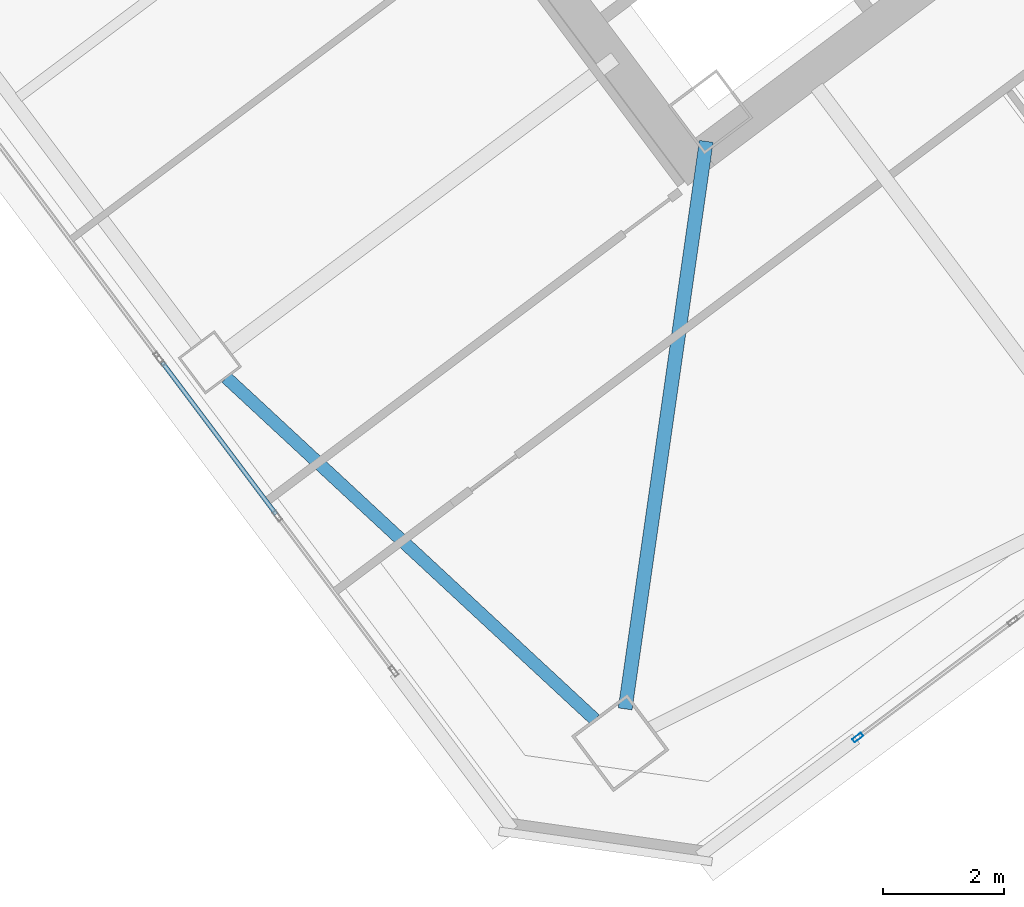
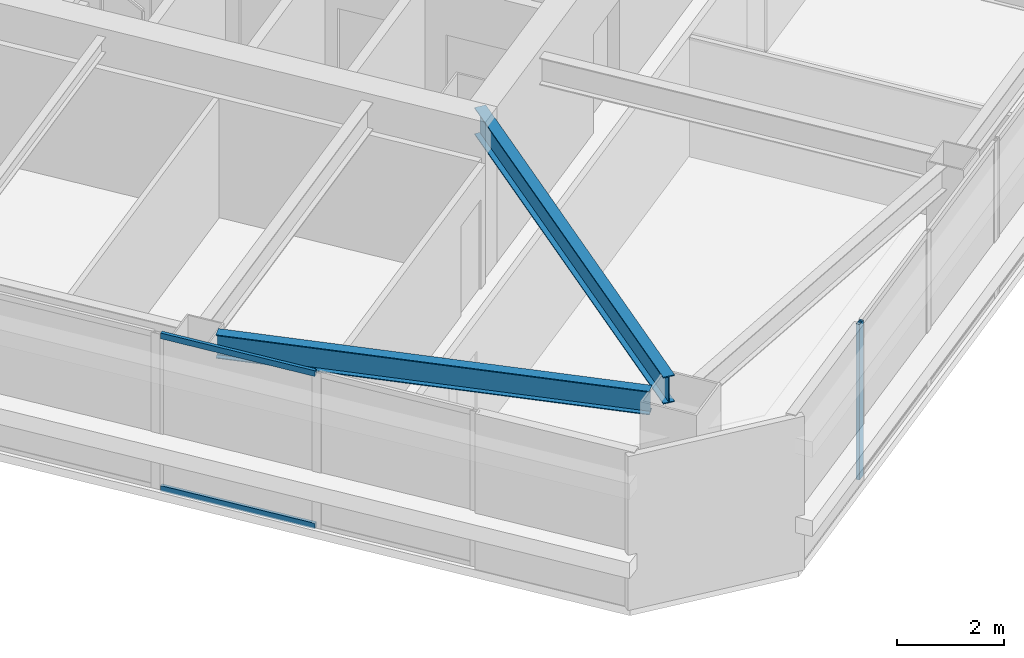
# One storey, part 18 of 43: 3 members, 2 beams, 2 elements without a shape of their own.
"""IFC4 building model written with IfcOpenShell, lengths in metres."""

from ifc_helpers import new_model, si_unit, direction, frame, origin, origin_2d, place, context, subcontext, project, spatial, hollow_rectangle, i_section, extrude, material, material_profile, profile_set, type_object, element, aggregate, save


model = new_model("IFC4")

# Units and contexts
model_context = context("Model", 3, precision=1e-05, world=origin(), true_north=direction((0.0, 1.0)))
body_context = subcontext(model_context, "Body", "Model", "MODEL_VIEW")
ifc_project = project(units=[si_unit("LENGTHUNIT", "METRE"), si_unit("AREAUNIT", "SQUARE_METRE"), si_unit("VOLUMEUNIT", "CUBIC_METRE"), si_unit("PLANEANGLEUNIT", "RADIAN"), si_unit("MASSUNIT", "GRAM", prefix="KILO")], contexts=[model_context])

# Site, building, storey
site_placement = place(None, origin())
site = spatial("IfcSite", under=ifc_project, at=site_placement, CompositionType="ELEMENT")
building_placement = place(site_placement, origin())
building = spatial("IfcBuilding", under=site, at=building_placement, Name="Tashvorn Skyway Center", CompositionType="ELEMENT")
storey_placement = place(building_placement, frame((0.0, 0.0, 160.550048828125)))
storey = spatial("IfcBuildingStorey", under=building, at=storey_placement, Name="L43", CompositionType="ELEMENT", Elevation=160.550048828125)

# Beams
ifc_material_1 = material(Name="Steel ASTM A992 Grade 50", Category="steel")
ifc_material_profile_1 = material_profile(ifc_material_1, i_section(OverallWidth=0.22998046875, OverallDepth=0.616943359375, WebThickness=0.01318359375, FlangeThickness=0.022216796875, at=origin_2d()), Name="W24X94")
ifc_profile_set_1 = profile_set([ifc_material_profile_1], Name="Steel ASTM A992 Grade 50")
beam_type_1 = type_object("IfcBeamType", Name="BM-BEAM-W24X94", PredefinedType="BEAM", material=ifc_profile_set_1)
beam_1_placement = place(storey_placement, frame((111.1806640625, 12.26416015625, 3.0615234375), z_axis=(0.141417747326, 0.989950009213, 0.0), x_axis=(-0.989950009213, 0.141417747326, 0.0)))
element("IfcBeam", 1, at=beam_1_placement, inside=storey, type_object=beam_type_1, Name="Tower 2 L43 Primary Floor Girder MC-SW", PredefinedType="BEAM", context=body_context, shape_type="SweptSolid", body=[
    extrude(i_section(OverallWidth=0.22998046875, OverallDepth=0.616943359375, WebThickness=0.01318359375, FlangeThickness=0.022216796875, at=origin_2d()), origin(), (0.0, 0.0, 1.0), 9.470947265625),
])
ifc_material_profile_2 = material_profile(ifc_material_1, i_section(OverallWidth=0.2109375, OverallDepth=0.5390625, WebThickness=0.01171875, FlangeThickness=0.018798828125, at=origin_2d()), Name="W21X73")
ifc_profile_set_2 = profile_set([ifc_material_profile_2], Name="Steel ASTM A992 Grade 50")
beam_type_2 = type_object("IfcBeamType", Name="BM-SPANDREL-W21X73", PredefinedType="SPANDREL", material=ifc_profile_set_2)
beam_2_placement = place(storey_placement, frame((104.59130859375, 17.73828125, 3.100341796875), z_axis=(0.733101115618, -0.680119661736, 0.0), x_axis=(0.680119661736, 0.733101115618, 0.0)))
element("IfcBeam", 2, at=beam_2_placement, inside=storey, type_object=beam_type_2, Name="Tower 2 L43 Spandrel Beam 12", PredefinedType="SPANDREL", context=body_context, shape_type="SweptSolid", body=[
    extrude(i_section(OverallWidth=0.2109375, OverallDepth=0.5390625, WebThickness=0.01171875, FlangeThickness=0.018798828125, at=origin_2d()), origin(), (0.0, 0.0, 1.0), 8.308349609375),
])

# Curtain wall, member
ifc_material_2 = material(Name="Thermally broken bronze-anodized aluminium 6063-T6", Category="aluminium")
curtain_wall_type = type_object("IfcCurtainWallType", Name="CW-CW-Z4", PredefinedType="NOTDEFINED", material=ifc_material_2)
curtain_wall_1_placement = place(storey_placement, origin())
curtain_wall_1 = element("IfcCurtainWall", 3, at=curtain_wall_1_placement, inside=storey, type_object=curtain_wall_type, Name="Tower 2 L43 South Unitised Curtain Wall Glazing Group 3", PredefinedType="NOTDEFINED")
ifc_material_profile_3 = material_profile(ifc_material_2, hollow_rectangle(XDim=0.070068359375, YDim=0.179931640625, WallThickness=0.00390625, at=origin_2d()), Name="ALU-MULL-70x180")
ifc_profile_set_3 = profile_set([ifc_material_profile_3], Name="Thermally broken bronze-anodized aluminium 6063-T6")
member_type_1 = type_object("IfcMemberType", Name="CWM-CW-Z4", PredefinedType="MULLION", material=ifc_profile_set_3)
member_1_placement = place(storey_placement, frame((115.02392578125, 11.79296875, 0.0), z_axis=(0.0, 0.0, 1.0), x_axis=(0.600000000002, -0.799999999998, 0.0)))
member_1 = element("IfcMember", 4, at=member_1_placement, type_object=member_type_1, Name="CW-Z4 mullion 3", PredefinedType="MULLION", context=body_context, shape_type="SweptSolid", body=[
    extrude(hollow_rectangle(XDim=0.070068359375, YDim=0.179931640625, WallThickness=0.00390625, at=origin_2d()), origin(), (0.0, 0.0, 1.0), 3.550048828125),
])
aggregate(curtain_wall_1, [member_1])

# Curtain wall, members
curtain_wall_2_placement = place(storey_placement, origin())
curtain_wall_2 = element("IfcCurtainWall", 5, at=curtain_wall_2_placement, inside=storey, type_object=curtain_wall_type, Name="Tower 2 L43 West Unitised Curtain Wall Glazing Group 1", PredefinedType="NOTDEFINED")
ifc_material_profile_4 = material_profile(ifc_material_2, hollow_rectangle(XDim=0.070068359375, YDim=0.1298828125, WallThickness=0.00390625, at=origin_2d()), Name="ALU-TRAN-70x130")
ifc_profile_set_4 = profile_set([ifc_material_profile_4], Name="Thermally broken bronze-anodized aluminium 6063-T6")
member_type_2 = type_object("IfcMemberType", Name="CWT-CW-Z4", PredefinedType="USERDEFINED", material=ifc_profile_set_4)
member_2_placement = place(storey_placement, frame((105.4150390625, 15.47998046875, 0.034912109375), z_axis=(-0.600012459628, 0.799990655127, 0.0), x_axis=(-0.799990655127, -0.600012459628, 0.0)))
member_2 = element("IfcMember", 6, at=member_2_placement, type_object=member_type_2, Name="CW-Z4 transom 2.1", ObjectType="TRANSOM", PredefinedType="USERDEFINED", context=body_context, shape_type="SweptSolid", body=[
    extrude(hollow_rectangle(XDim=0.070068359375, YDim=0.1298828125, WallThickness=0.00390625, at=origin_2d()), origin(), (0.0, 0.0, 1.0), 3.135009765625),
])
member_3_placement = place(storey_placement, frame((105.4150390625, 15.47998046875, 3.514892578125), z_axis=(-0.600012459628, 0.799990655127, 0.0), x_axis=(-0.799990655127, -0.600012459628, 0.0)))
member_3 = element("IfcMember", 7, at=member_3_placement, type_object=member_type_2, Name="CW-Z4 transom 2.2", ObjectType="TRANSOM", PredefinedType="USERDEFINED", context=body_context, shape_type="SweptSolid", body=[
    extrude(hollow_rectangle(XDim=0.070068359375, YDim=0.1298828125, WallThickness=0.00390625, at=origin_2d()), origin(), (0.0, 0.0, 1.0), 3.135009765625),
])
aggregate(curtain_wall_2, [member_2, member_3])

save(model, "model.ifc")
